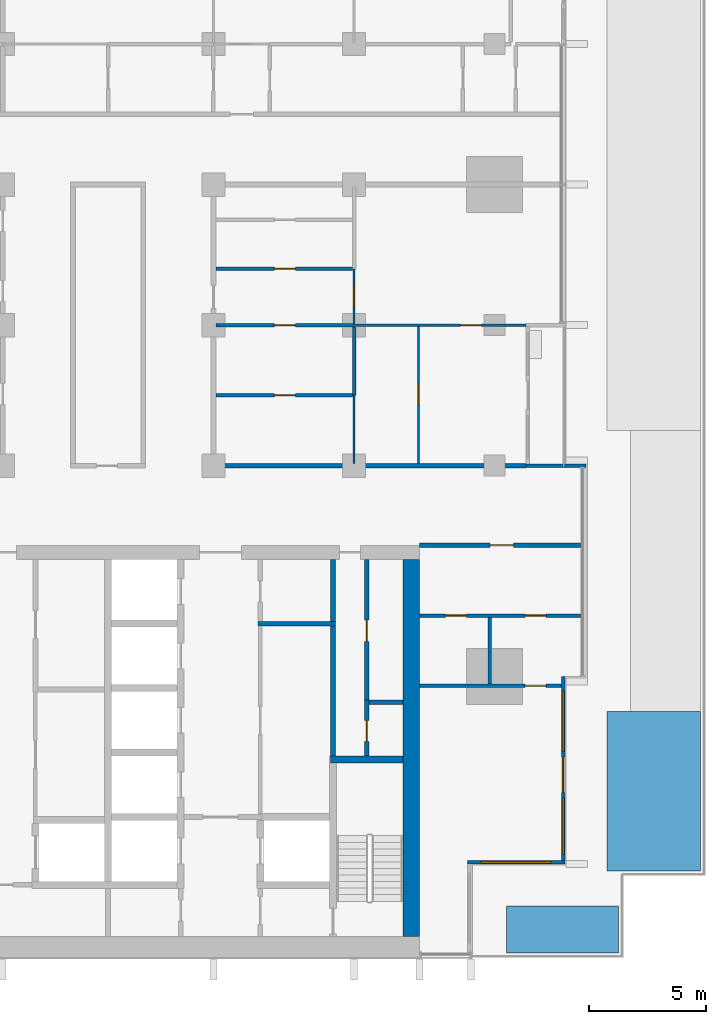
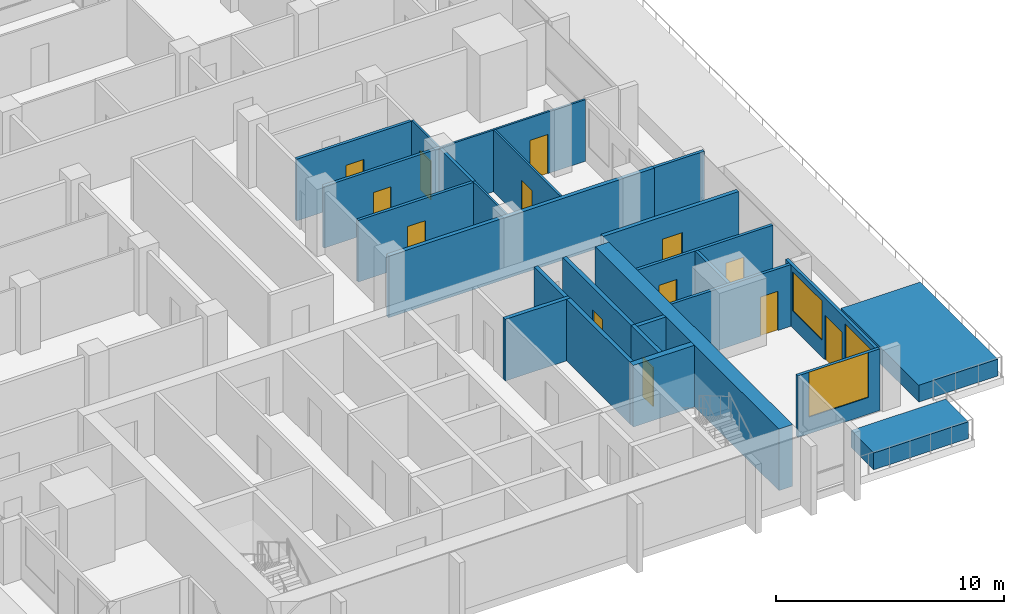
# One storey, part 9 of 18: 26 walls, 13 doors, 3 windows, 16 openings.
"""IFC4 building model written with IfcOpenShell, lengths in metres."""

from ifc_helpers import new_model, si_unit, direction, frame, frame_2d, origin, place, context, subcontext, project, spatial, rectangle, extrude, material, layer, layer_set, type_object, element, fill, save


model = new_model("IFC4")

# Units and contexts
model_context = context("Model", 3, precision=1e-05, world=origin(), true_north=direction((0.0, 1.0)))
body_context = subcontext(model_context, "Body", "Model", "MODEL_VIEW")
ifc_project = project(units=[si_unit("LENGTHUNIT", "METRE"), si_unit("AREAUNIT", "SQUARE_METRE"), si_unit("VOLUMEUNIT", "CUBIC_METRE"), si_unit("PLANEANGLEUNIT", "RADIAN"), si_unit("MASSUNIT", "GRAM", prefix="KILO")], contexts=[model_context])

# Site, building, storey
site_placement = place(None, origin())
site = spatial("IfcSite", under=ifc_project, at=site_placement, CompositionType="ELEMENT")
building_placement = place(site_placement, origin())
building = spatial("IfcBuilding", under=site, at=building_placement, Name="Finial Court Residences", CompositionType="ELEMENT")
storey_placement = place(building_placement, frame((0.0, 0.0, 149.300048828125)))
storey = spatial("IfcBuildingStorey", under=building, at=storey_placement, Name="L36", CompositionType="ELEMENT", Elevation=149.300048828125)

# Wall
ifc_material_1 = material(Name="Concrete C70/85", Category="concrete")
ifc_layer_1 = layer(ifc_material_1, 0.699951171875)
ifc_layer_set_1 = layer_set([ifc_layer_1], Name="Core outer wall 700 Concrete C70/85")
wall_type_1 = type_object("IfcWallType", Name="Core outer wall 700 Concrete C70/85", PredefinedType="SHEAR", material=ifc_layer_set_1)
wall_1_placement = place(storey_placement, frame((12.949951171875, -24.60009765625, 0.0), z_axis=(0.0, 0.0, 1.0), x_axis=(0.0, 1.0, 0.0)))
element("IfcWall", 1, at=wall_1_placement, inside=storey, type_object=wall_type_1, Name="Core outer wall L36-04", PredefinedType="SHEAR", context=body_context, shape_type="SweptSolid", body=[
    extrude(rectangle(XDim=16.10009765625, YDim=0.699951171875, at=frame_2d((8.050048828125, 0.0))), origin(), (0.0, 0.0, 1.0), 3.300048828125),
])

# Wall, opening, door
ifc_material_2 = material(Name="Gypsum board")
ifc_layer_2 = layer(ifc_material_2, 0.02490234375)
ifc_material_3 = material(Name="Acoustic mineral wool in double frame")
ifc_layer_3 = layer(ifc_material_3, 0.14990234375)
ifc_layer_4 = layer(ifc_material_2, 0.02490234375)
ifc_layer_set_2 = layer_set([ifc_layer_2, ifc_layer_3, ifc_layer_4], Name="Corridor wall 200, 1 hour")
wall_type_2 = type_object("IfcWallType", Name="Corridor wall 200, 1 hour", PredefinedType="PARTITIONING", material=ifc_layer_set_2)
wall_2_placement = place(storey_placement, frame((13.300048828125, -7.89990234375, 0.0), z_axis=(0.0, 0.0, 1.0), x_axis=(1.0, 0.0, 0.0)))
wall_2 = element("IfcWall", 2, at=wall_2_placement, inside=storey, type_object=wall_type_2, Name="Partition L36-005", PredefinedType="PARTITIONING", context=body_context, shape_type="SweptSolid", body=[
    extrude(rectangle(XDim=6.862548828125, YDim=0.199951171875, at=frame_2d((3.43115234375, 0.0))), origin(), (0.0, 0.0, 1.0), 3.300048828125),
])
opening_1_placement = place(wall_2_placement, frame((3.0, 0.0, 0.0)))
opening_1 = element("IfcOpeningElement", 3, at=opening_1_placement, cuts=wall_2, Name="Opening L36-D008", PredefinedType="OPENING", context=body_context, shape_type="SweptSolid", body=[
    extrude(rectangle(XDim=1.0, YDim=2.10009765625, at=frame_2d((0.5, 1.050048828125))), frame((0.0, 0.10986328125, 0.0), z_axis=(0.0, -1.0, 0.0), x_axis=(1.0, 0.0, 0.0)), (0.0, 0.0, 1.0), 0.219970703125),
])
ifc_material_4 = material(Name="Timber door leaf in hollow metal frame", Category="wood")
door_type_1 = type_object("IfcDoorType", Name="Fire door set 1000 x 2100, 30 minutes", OperationType="SINGLE_SWING_LEFT", PredefinedType="DOOR", material=ifc_material_4)
door_1_placement = place(opening_1_placement, origin())
door_1 = element("IfcDoor", 4, at=door_1_placement, inside=storey, type_object=door_type_1, Name="Door L36-D008", OperationType="SINGLE_SWING_RIGHT", OverallHeight=2.10009765625, OverallWidth=1.0, PredefinedType="DOOR", context=body_context, shape_type="SweptSolid", body=[
    extrude(rectangle(XDim=1.0, YDim=2.10009765625, at=frame_2d((0.5, 1.050048828125))), frame((0.0, 0.02490234375, 0.0), z_axis=(0.0, -1.0, 0.0), x_axis=(1.0, 0.0, 0.0)), (0.0, 0.0, 1.0), 0.050048828125),
])
fill(opening_1, door_1)

# Wall
wall_3_placement = place(storey_placement, frame((4.39990234375, -4.5, 0.0), z_axis=(0.0, 0.0, 1.0), x_axis=(1.0, 0.0, 0.0)))
element("IfcWall", 5, at=wall_3_placement, inside=storey, type_object=wall_type_2, Name="Partition L36-008", PredefinedType="PARTITIONING", context=body_context, shape_type="SweptSolid", body=[
    extrude(rectangle(XDim=13.4501953125, YDim=0.199951171875, at=frame_2d((6.72509765625, 0.0))), origin(), (0.0, 0.0, 1.0), 3.300048828125),
])

# Wall, opening, door
ifc_layer_5 = layer(ifc_material_2, 0.012451171875)
ifc_material_5 = material(Name="Mineral wool in light-gauge frame")
ifc_layer_6 = layer(ifc_material_5, 0.074951171875)
ifc_layer_7 = layer(ifc_material_2, 0.012451171875)
ifc_layer_set_3 = layer_set([ifc_layer_5, ifc_layer_6, ifc_layer_7], Name="Gypsum board partition 100")
wall_type_3 = type_object("IfcWallType", Name="Gypsum board partition 100", PredefinedType="PARTITIONING", material=ifc_layer_set_3)
wall_4_placement = place(storey_placement, frame((10.5, 1.5, 0.0), z_axis=(0.0, 0.0, 1.0), x_axis=(1.0, 0.0, 0.0)))
wall_4 = element("IfcWall", 6, at=wall_4_placement, inside=storey, type_object=wall_type_3, Name="Partition L36-011", PredefinedType="PARTITIONING", context=body_context, shape_type="SweptSolid", body=[
    extrude(rectangle(XDim=7.35009765625, YDim=0.10009765625, at=frame_2d((3.675048828125, 0.0))), origin(), (0.0, 0.0, 1.0), 3.300048828125),
])
opening_2_placement = place(wall_4_placement, frame((4.550048828125, 0.0, 0.0)))
opening_2 = element("IfcOpeningElement", 7, at=opening_2_placement, cuts=wall_4, Name="Opening L36-D011", PredefinedType="OPENING", context=body_context, shape_type="SweptSolid", body=[
    extrude(rectangle(XDim=0.89990234375, YDim=2.10009765625, at=frame_2d((0.449951171875, 1.050048828125))), frame((0.0, 0.06005859375, 0.0), z_axis=(0.0, -1.0, 0.0), x_axis=(1.0, 0.0, 0.0)), (0.0, 0.0, 1.0), 0.1201171875),
])
ifc_material_6 = material(Name="Timber door leaf in timber frame", Category="wood")
door_type_2 = type_object("IfcDoorType", Name="Door set 900 x 2100", OperationType="SINGLE_SWING_LEFT", PredefinedType="DOOR", material=ifc_material_6)
door_2_placement = place(opening_2_placement, origin())
door_2 = element("IfcDoor", 8, at=door_2_placement, inside=storey, type_object=door_type_2, Name="Door L36-D011", OperationType="SINGLE_SWING_RIGHT", OverallHeight=2.10009765625, OverallWidth=0.89990234375, PredefinedType="DOOR", context=body_context, shape_type="SweptSolid", body=[
    extrude(rectangle(XDim=0.89990234375, YDim=2.10009765625, at=frame_2d((0.449951171875, 1.050048828125))), frame((0.0, 0.02490234375, 0.0), z_axis=(0.0, -1.0, 0.0), x_axis=(1.0, 0.0, 0.0)), (0.0, 0.0, 1.0), 0.050048828125),
])
fill(opening_2, door_2)

# Wall
wall_5_placement = place(storey_placement, frame((10.5, -4.39990234375, 0.0), z_axis=(0.0, 0.0, 1.0), x_axis=(0.0, 1.0, 0.0)))
element("IfcWall", 9, at=wall_5_placement, inside=storey, type_object=wall_type_3, Name="Partition L36-049", PredefinedType="PARTITIONING", context=body_context, shape_type="SweptSolid", body=[
    extrude(rectangle(XDim=2.89990234375, YDim=0.10009765625, at=frame_2d((1.449951171875, 0.0))), origin(), (0.0, 0.0, 1.0), 3.300048828125),
])

# Wall, opening, door
wall_6_placement = place(storey_placement, frame((10.5, 1.574951171875, 0.0), z_axis=(0.0, 0.0, 1.0), x_axis=(0.0, 1.0, 0.0)))
wall_6 = element("IfcWall", 10, at=wall_6_placement, inside=storey, type_object=wall_type_3, Name="Partition L36-050", PredefinedType="PARTITIONING", context=body_context, shape_type="SweptSolid", body=[
    extrude(rectangle(XDim=2.324951171875, YDim=0.10009765625, at=frame_2d((1.16259765625, 0.0))), origin(), (0.0, 0.0, 1.0), 3.300048828125),
])
opening_3_placement = place(wall_6_placement, frame((0.699951171875, 0.0, 0.0)))
opening_3 = element("IfcOpeningElement", 11, at=opening_3_placement, cuts=wall_6, Name="Opening L36-D035", PredefinedType="OPENING", context=body_context, shape_type="SweptSolid", body=[
    extrude(rectangle(XDim=0.89990234375, YDim=2.10009765625, at=frame_2d((0.449951171875, 1.050048828125))), frame((0.0, 0.06005859375, 0.0), z_axis=(0.0, -1.0, 0.0), x_axis=(1.0, 0.0, 0.0)), (0.0, 0.0, 1.0), 0.1201171875),
])
door_3_placement = place(opening_3_placement, origin())
door_3 = element("IfcDoor", 12, at=door_3_placement, inside=storey, type_object=door_type_2, Name="Door L36-D035", OperationType="SINGLE_SWING_LEFT", OverallHeight=2.10009765625, OverallWidth=0.89990234375, PredefinedType="DOOR", context=body_context, shape_type="SweptSolid", body=[
    extrude(rectangle(XDim=0.89990234375, YDim=2.10009765625, at=frame_2d((0.449951171875, 1.050048828125))), frame((0.0, 0.02490234375, 0.0), z_axis=(0.0, -1.0, 0.0), x_axis=(1.0, 0.0, 0.0)), (0.0, 0.0, 1.0), 0.050048828125),
])
fill(opening_3, door_3)

wall_7_placement = place(storey_placement, frame((13.25, -4.39990234375, 0.0), z_axis=(0.0, 0.0, 1.0), x_axis=(0.0, 1.0, 0.0)))
wall_7 = element("IfcWall", 13, at=wall_7_placement, inside=storey, type_object=wall_type_3, Name="Partition L36-054", PredefinedType="PARTITIONING", context=body_context, shape_type="SweptSolid", body=[
    extrude(rectangle(XDim=5.849853515625, YDim=0.10009765625, at=frame_2d((2.9248046875, 0.0))), origin(), (0.0, 0.0, 1.0), 3.300048828125),
])
opening_4_placement = place(wall_7_placement, frame((2.5, 0.0, 0.0)))
opening_4 = element("IfcOpeningElement", 14, at=opening_4_placement, cuts=wall_7, Name="Opening L36-D037", PredefinedType="OPENING", context=body_context, shape_type="SweptSolid", body=[
    extrude(rectangle(XDim=0.89990234375, YDim=2.10009765625, at=frame_2d((0.449951171875, 1.050048828125))), frame((0.0, 0.06005859375, 0.0), z_axis=(0.0, -1.0, 0.0), x_axis=(1.0, 0.0, 0.0)), (0.0, 0.0, 1.0), 0.1201171875),
])
door_4_placement = place(opening_4_placement, origin())
door_4 = element("IfcDoor", 15, at=door_4_placement, inside=storey, type_object=door_type_2, Name="Door L36-D037", OperationType="SINGLE_SWING_LEFT", OverallHeight=2.10009765625, OverallWidth=0.89990234375, PredefinedType="DOOR", context=body_context, shape_type="SweptSolid", body=[
    extrude(rectangle(XDim=0.89990234375, YDim=2.10009765625, at=frame_2d((0.449951171875, 1.050048828125))), frame((0.0, 0.02490234375, 0.0), z_axis=(0.0, -1.0, 0.0), x_axis=(1.0, 0.0, 0.0)), (0.0, 0.0, 1.0), 0.050048828125),
])
fill(opening_4, door_4)

ifc_material_7 = material(Name="Moisture-resistant gypsum board")
ifc_layer_8 = layer(ifc_material_7, 0.012451171875)
ifc_layer_9 = layer(ifc_material_5, 0.125)
ifc_layer_10 = layer(ifc_material_7, 0.012451171875)
ifc_layer_set_4 = layer_set([ifc_layer_8, ifc_layer_9, ifc_layer_10], Name="Gypsum board wet-area partition 150")
wall_type_4 = type_object("IfcWallType", Name="Gypsum board wet-area partition 150", PredefinedType="PARTITIONING", material=ifc_layer_set_4)
wall_8_placement = place(storey_placement, frame((13.300048828125, -13.89990234375, 0.0), z_axis=(0.0, 0.0, 1.0), x_axis=(1.0, 0.0, 0.0)))
wall_8 = element("IfcWall", 16, at=wall_8_placement, inside=storey, type_object=wall_type_4, Name="Partition L36-001", PredefinedType="PARTITIONING", context=body_context, shape_type="SweptSolid", body=[
    extrude(rectangle(XDim=6.050048828125, YDim=0.14990234375, at=frame_2d((3.02490234375, 0.0))), origin(), (0.0, 0.0, 1.0), 3.300048828125),
])
opening_5_placement = place(wall_8_placement, frame((4.5, 0.0, 0.0)))
opening_5 = element("IfcOpeningElement", 17, at=opening_5_placement, cuts=wall_8, Name="Opening L36-D002", PredefinedType="OPENING", context=body_context, shape_type="SweptSolid", body=[
    extrude(rectangle(XDim=0.89990234375, YDim=2.10009765625, at=frame_2d((0.449951171875, 1.050048828125))), frame((0.0, 0.0849609375, 0.0), z_axis=(0.0, -1.0, 0.0), x_axis=(1.0, 0.0, 0.0)), (0.0, 0.0, 1.0), 0.169921875),
])
door_5_placement = place(opening_5_placement, origin())
door_5 = element("IfcDoor", 18, at=door_5_placement, inside=storey, type_object=door_type_2, Name="Door L36-D002", OperationType="SINGLE_SWING_RIGHT", OverallHeight=2.10009765625, OverallWidth=0.89990234375, PredefinedType="DOOR", context=body_context, shape_type="SweptSolid", body=[
    extrude(rectangle(XDim=0.89990234375, YDim=2.10009765625, at=frame_2d((0.449951171875, 1.050048828125))), frame((0.0, 0.02490234375, 0.0), z_axis=(0.0, -1.0, 0.0), x_axis=(1.0, 0.0, 0.0)), (0.0, 0.0, 1.0), 0.050048828125),
])
fill(opening_5, door_5)

# Wall, openings, doors
wall_9_placement = place(storey_placement, frame((13.300048828125, -10.89990234375, 0.0), z_axis=(0.0, 0.0, 1.0), x_axis=(1.0, 0.0, 0.0)))
wall_9 = element("IfcWall", 19, at=wall_9_placement, inside=storey, type_object=wall_type_4, Name="Partition L36-003", PredefinedType="PARTITIONING", context=body_context, shape_type="SweptSolid", body=[
    extrude(rectangle(XDim=6.862548828125, YDim=0.14990234375, at=frame_2d((3.43115234375, 0.0))), origin(), (0.0, 0.0, 1.0), 3.300048828125),
])
opening_6_placement = place(wall_9_placement, frame((1.10009765625, 0.0, 0.0)))
opening_6 = element("IfcOpeningElement", 20, at=opening_6_placement, cuts=wall_9, Name="Opening L36-D005", PredefinedType="OPENING", context=body_context, shape_type="SweptSolid", body=[
    extrude(rectangle(XDim=0.89990234375, YDim=2.10009765625, at=frame_2d((0.449951171875, 1.050048828125))), frame((0.0, 0.0849609375, 0.0), z_axis=(0.0, -1.0, 0.0), x_axis=(1.0, 0.0, 0.0)), (0.0, 0.0, 1.0), 0.169921875),
])
opening_7_placement = place(wall_9_placement, frame((4.5, 0.0, 0.0)))
opening_7 = element("IfcOpeningElement", 21, at=opening_7_placement, cuts=wall_9, Name="Opening L36-D006", PredefinedType="OPENING", context=body_context, shape_type="SweptSolid", body=[
    extrude(rectangle(XDim=0.89990234375, YDim=2.10009765625, at=frame_2d((0.449951171875, 1.050048828125))), frame((0.0, 0.0849609375, 0.0), z_axis=(0.0, -1.0, 0.0), x_axis=(1.0, 0.0, 0.0)), (0.0, 0.0, 1.0), 0.169921875),
])
door_6_placement = place(opening_6_placement, origin())
door_6 = element("IfcDoor", 22, at=door_6_placement, inside=storey, type_object=door_type_2, Name="Door L36-D005", OperationType="SINGLE_SWING_LEFT", OverallHeight=2.10009765625, OverallWidth=0.89990234375, PredefinedType="DOOR", context=body_context, shape_type="SweptSolid", body=[
    extrude(rectangle(XDim=0.89990234375, YDim=2.10009765625, at=frame_2d((0.449951171875, 1.050048828125))), frame((0.0, 0.02490234375, 0.0), z_axis=(0.0, -1.0, 0.0), x_axis=(1.0, 0.0, 0.0)), (0.0, 0.0, 1.0), 0.050048828125),
])
fill(opening_6, door_6)
door_7_placement = place(opening_7_placement, origin())
door_7 = element("IfcDoor", 23, at=door_7_placement, inside=storey, type_object=door_type_2, Name="Door L36-D006", OperationType="SINGLE_SWING_RIGHT", OverallHeight=2.10009765625, OverallWidth=0.89990234375, PredefinedType="DOOR", context=body_context, shape_type="SweptSolid", body=[
    extrude(rectangle(XDim=0.89990234375, YDim=2.10009765625, at=frame_2d((0.449951171875, 1.050048828125))), frame((0.0, 0.02490234375, 0.0), z_axis=(0.0, -1.0, 0.0), x_axis=(1.0, 0.0, 0.0)), (0.0, 0.0, 1.0), 0.050048828125),
])
fill(opening_7, door_7)

# Wall, opening, door
wall_10_placement = place(storey_placement, frame((4.60009765625, -1.5, 0.0), z_axis=(0.0, 0.0, 1.0), x_axis=(1.0, 0.0, 0.0)))
wall_10 = element("IfcWall", 24, at=wall_10_placement, inside=storey, type_object=wall_type_4, Name="Partition L36-009", PredefinedType="PARTITIONING", context=body_context, shape_type="SweptSolid", body=[
    extrude(rectangle(XDim=5.824951171875, YDim=0.14990234375, at=frame_2d((2.91259765625, 0.0))), origin(), (0.0, 0.0, 1.0), 3.300048828125),
])
opening_8_placement = place(wall_10_placement, frame((2.5, 0.0, 0.0)))
opening_8 = element("IfcOpeningElement", 25, at=opening_8_placement, cuts=wall_10, Name="Opening L36-D010", PredefinedType="OPENING", context=body_context, shape_type="SweptSolid", body=[
    extrude(rectangle(XDim=0.89990234375, YDim=2.10009765625, at=frame_2d((0.449951171875, 1.050048828125))), frame((0.0, 0.0849609375, 0.0), z_axis=(0.0, -1.0, 0.0), x_axis=(1.0, 0.0, 0.0)), (0.0, 0.0, 1.0), 0.169921875),
])
door_8_placement = place(opening_8_placement, origin())
door_8 = element("IfcDoor", 26, at=door_8_placement, inside=storey, type_object=door_type_2, Name="Door L36-D010", OperationType="SINGLE_SWING_LEFT", OverallHeight=2.10009765625, OverallWidth=0.89990234375, PredefinedType="DOOR", context=body_context, shape_type="SweptSolid", body=[
    extrude(rectangle(XDim=0.89990234375, YDim=2.10009765625, at=frame_2d((0.449951171875, 1.050048828125))), frame((0.0, 0.02490234375, 0.0), z_axis=(0.0, -1.0, 0.0), x_axis=(1.0, 0.0, 0.0)), (0.0, 0.0, 1.0), 0.050048828125),
])
fill(opening_8, door_8)

wall_11_placement = place(storey_placement, frame((4.60009765625, 1.5, 0.0), z_axis=(0.0, 0.0, 1.0), x_axis=(1.0, 0.0, 0.0)))
wall_11 = element("IfcWall", 27, at=wall_11_placement, inside=storey, type_object=wall_type_4, Name="Partition L36-012", PredefinedType="PARTITIONING", context=body_context, shape_type="SweptSolid", body=[
    extrude(rectangle(XDim=5.89990234375, YDim=0.14990234375, at=frame_2d((2.949951171875, 0.0))), origin(), (0.0, 0.0, 1.0), 3.300048828125),
])
opening_9_placement = place(wall_11_placement, frame((2.5, 0.0, 0.0)))
opening_9 = element("IfcOpeningElement", 28, at=opening_9_placement, cuts=wall_11, Name="Opening L36-D012", PredefinedType="OPENING", context=body_context, shape_type="SweptSolid", body=[
    extrude(rectangle(XDim=0.89990234375, YDim=2.10009765625, at=frame_2d((0.449951171875, 1.050048828125))), frame((0.0, 0.0849609375, 0.0), z_axis=(0.0, -1.0, 0.0), x_axis=(1.0, 0.0, 0.0)), (0.0, 0.0, 1.0), 0.169921875),
])
door_9_placement = place(opening_9_placement, origin())
door_9 = element("IfcDoor", 29, at=door_9_placement, inside=storey, type_object=door_type_2, Name="Door L36-D012", OperationType="SINGLE_SWING_RIGHT", OverallHeight=2.10009765625, OverallWidth=0.89990234375, PredefinedType="DOOR", context=body_context, shape_type="SweptSolid", body=[
    extrude(rectangle(XDim=0.89990234375, YDim=2.10009765625, at=frame_2d((0.449951171875, 1.050048828125))), frame((0.0, 0.02490234375, 0.0), z_axis=(0.0, -1.0, 0.0), x_axis=(1.0, 0.0, 0.0)), (0.0, 0.0, 1.0), 0.050048828125),
])
fill(opening_9, door_9)

wall_12_placement = place(storey_placement, frame((4.60009765625, 3.89990234375, 0.0), z_axis=(0.0, 0.0, 1.0), x_axis=(1.0, 0.0, 0.0)))
wall_12 = element("IfcWall", 30, at=wall_12_placement, inside=storey, type_object=wall_type_4, Name="Partition L36-013", PredefinedType="PARTITIONING", context=body_context, shape_type="SweptSolid", body=[
    extrude(rectangle(XDim=5.824951171875, YDim=0.14990234375, at=frame_2d((2.91259765625, 0.0))), origin(), (0.0, 0.0, 1.0), 3.300048828125),
])
opening_10_placement = place(wall_12_placement, frame((2.5, 0.0, 0.0)))
opening_10 = element("IfcOpeningElement", 31, at=opening_10_placement, cuts=wall_12, Name="Opening L36-D013", PredefinedType="OPENING", context=body_context, shape_type="SweptSolid", body=[
    extrude(rectangle(XDim=0.89990234375, YDim=2.10009765625, at=frame_2d((0.449951171875, 1.050048828125))), frame((0.0, 0.0849609375, 0.0), z_axis=(0.0, -1.0, 0.0), x_axis=(1.0, 0.0, 0.0)), (0.0, 0.0, 1.0), 0.169921875),
])
door_10_placement = place(opening_10_placement, origin())
door_10 = element("IfcDoor", 32, at=door_10_placement, inside=storey, type_object=door_type_2, Name="Door L36-D013", OperationType="SINGLE_SWING_RIGHT", OverallHeight=2.10009765625, OverallWidth=0.89990234375, PredefinedType="DOOR", context=body_context, shape_type="SweptSolid", body=[
    extrude(rectangle(XDim=0.89990234375, YDim=2.10009765625, at=frame_2d((0.449951171875, 1.050048828125))), frame((0.0, 0.02490234375, 0.0), z_axis=(0.0, -1.0, 0.0), x_axis=(1.0, 0.0, 0.0)), (0.0, 0.0, 1.0), 0.050048828125),
])
fill(opening_10, door_10)

# Walls
wall_13_placement = place(storey_placement, frame((10.5, -1.5, 0.0), z_axis=(0.0, 0.0, 1.0), x_axis=(0.0, 1.0, 0.0)))
element("IfcWall", 33, at=wall_13_placement, inside=storey, type_object=wall_type_4, Name="Partition L36-052", PredefinedType="PARTITIONING", context=body_context, shape_type="SweptSolid", body=[
    extrude(rectangle(XDim=2.925048828125, YDim=0.14990234375, at=frame_2d((1.46240234375, 0.0))), origin(), (0.0, 0.0, 1.0), 3.300048828125),
])
wall_14_placement = place(storey_placement, frame((16.300048828125, -13.824951171875, 0.0), z_axis=(0.0, 0.0, 1.0), x_axis=(0.0, 1.0, 0.0)))
element("IfcWall", 34, at=wall_14_placement, inside=storey, type_object=wall_type_4, Name="Partition L36-056", PredefinedType="PARTITIONING", context=body_context, shape_type="SweptSolid", body=[
    extrude(rectangle(XDim=2.849853515625, YDim=0.14990234375, at=frame_2d((1.4248046875, 0.0))), origin(), (0.0, 0.0, 1.0), 3.300048828125),
])
ifc_layer_11 = layer(ifc_material_1, 0.300048828125)
ifc_layer_set_5 = layer_set([ifc_layer_11], Name="Lift shaft and stair wall 300 Concrete C70/85")
wall_type_5 = type_object("IfcWallType", Name="Lift shaft and stair wall 300 Concrete C70/85", PredefinedType="SHEAR", material=ifc_layer_set_5)
wall_15_placement = place(storey_placement, frame((9.5, -17.050048828125, 0.0), z_axis=(0.0, 0.0, 1.0), x_axis=(1.0, 0.0, 0.0)))
element("IfcWall", 35, at=wall_15_placement, inside=storey, type_object=wall_type_5, Name="Core wall L36-09", PredefinedType="SHEAR", context=body_context, shape_type="SweptSolid", body=[
    extrude(rectangle(XDim=3.10009765625, YDim=0.300048828125, at=frame_2d((1.550048828125, 0.0))), origin(), (0.0, 0.0, 1.0), 3.300048828125),
])

# Wall, opening, window
ifc_material_8 = material(Name="Natural limestone", Category="masonry")
ifc_layer_12 = layer(ifc_material_8, 0.14990234375)
ifc_layer_set_6 = layer_set([ifc_layer_12], Name="Limestone clad wall 150")
wall_type_6 = type_object("IfcWallType", Name="Limestone clad wall 150", PredefinedType="SOLIDWALL", material=ifc_layer_set_6)
wall_16_placement = place(storey_placement, frame((19.5, -21.425048828125, 0.0), z_axis=(0.0, 0.0, 1.0), x_axis=(-1.0, 0.0, 0.0)))
wall_16 = element("IfcWall", 36, at=wall_16_placement, inside=storey, type_object=wall_type_6, Name="E-L36-NWS14", PredefinedType="SOLIDWALL", context=body_context, shape_type="SweptSolid", body=[
    extrude(rectangle(XDim=4.14990234375, YDim=0.14990234375, at=frame_2d((2.074951171875, 0.0))), origin(), (0.0, 0.0, 1.0), 3.300048828125),
])
opening_11_placement = place(wall_16_placement, frame((0.574951171875, 0.0, 0.89990234375)))
opening_11 = element("IfcOpeningElement", 37, at=opening_11_placement, cuts=wall_16, Name="Opening WE36-04", PredefinedType="OPENING", context=body_context, shape_type="SweptSolid", body=[
    extrude(rectangle(XDim=3.0, YDim=2.39990234375, at=frame_2d((1.5, 1.199951171875))), frame((0.0, 0.0849609375, 0.0), z_axis=(0.0, -1.0, 0.0), x_axis=(1.0, 0.0, 0.0)), (0.0, 0.0, 1.0), 0.169921875),
])
ifc_material_9 = material(Name="Clear low-e glass", Category="glass")
window_type_1 = type_object("IfcWindowType", Name="Corner window 3000 x 2400", PartitioningType="SINGLE_PANEL", PredefinedType="WINDOW", material=ifc_material_9)
window_1_placement = place(opening_11_placement, origin())
window_1 = element("IfcWindow", 38, at=window_1_placement, inside=storey, type_object=window_type_1, Name="E-L36-NWS14-W1", OverallHeight=2.39990234375, OverallWidth=3.0, PartitioningType="SINGLE_PANEL", PredefinedType="WINDOW", context=body_context, shape_type="SweptSolid", body=[
    extrude(rectangle(XDim=3.0, YDim=2.39990234375, at=frame_2d((1.5, 1.199951171875))), frame((0.0, 0.030029296875, 0.0), z_axis=(0.0, -1.0, 0.0), x_axis=(1.0, 0.0, 0.0)), (0.0, 0.0, 1.0), 0.06005859375),
])
fill(opening_11, window_1)

# Wall
wall_17_placement = place(storey_placement, frame((17.85009765625, -4.5, 0.0), z_axis=(0.0, 0.0, 1.0), x_axis=(1.0, 0.0, 0.0)))
element("IfcWall", 39, at=wall_17_placement, inside=storey, type_object=wall_type_6, Name="E-L36-BALE3-P1", PredefinedType="SOLIDWALL", context=body_context, shape_type="SweptSolid", body=[
    extrude(rectangle(XDim=2.5498046875, YDim=0.14990234375, at=frame_2d((1.27490234375, 0.0))), origin(), (0.0, 0.0, 1.0), 3.300048828125),
])

# Wall, openings, door, windows
wall_18_placement = place(storey_placement, frame((19.425048828125, -13.5, 0.0), z_axis=(0.0, 0.0, 1.0), x_axis=(0.0, -1.0, 0.0)))
wall_18 = element("IfcWall", 40, at=wall_18_placement, inside=storey, type_object=wall_type_6, Name="E-L36-L36-TD1-W", PredefinedType="SOLIDWALL", context=body_context, shape_type="SweptSolid", body=[
    extrude(rectangle(XDim=7.85009765625, YDim=0.14990234375, at=frame_2d((3.925048828125, 0.0))), origin(), (0.0, 0.0, 1.0), 3.300048828125),
])
opening_12_placement = place(wall_18_placement, frame((3.449951171875, 0.0, 0.0)))
opening_12 = element("IfcOpeningElement", 41, at=opening_12_placement, cuts=wall_18, Name="Opening DE36-04", PredefinedType="OPENING", context=body_context, shape_type="SweptSolid", body=[
    extrude(rectangle(XDim=1.5, YDim=2.39990234375, at=frame_2d((0.75, 1.199951171875))), frame((0.0, 0.0849609375, 0.0), z_axis=(0.0, -1.0, 0.0), x_axis=(1.0, 0.0, 0.0)), (0.0, 0.0, 1.0), 0.169921875),
])
opening_13_placement = place(wall_18_placement, frame((5.199951171875, 0.0, 0.89990234375)))
opening_13 = element("IfcOpeningElement", 42, at=opening_13_placement, cuts=wall_18, Name="Opening WE36-15", PredefinedType="OPENING", context=body_context, shape_type="SweptSolid", body=[
    extrude(rectangle(XDim=2.39990234375, YDim=2.10009765625, at=frame_2d((1.199951171875, 1.050048828125))), frame((0.0, 0.0849609375, 0.0), z_axis=(0.0, -1.0, 0.0), x_axis=(1.0, 0.0, 0.0)), (0.0, 0.0, 1.0), 0.169921875),
])
opening_14_placement = place(wall_18_placement, frame((0.625, 0.0, 0.89990234375)))
opening_14 = element("IfcOpeningElement", 43, at=opening_14_placement, cuts=wall_18, Name="Opening WE36-16", PredefinedType="OPENING", context=body_context, shape_type="SweptSolid", body=[
    extrude(rectangle(XDim=2.574951171875, YDim=2.10009765625, at=frame_2d((1.28759765625, 1.050048828125))), frame((0.0, 0.0849609375, 0.0), z_axis=(0.0, -1.0, 0.0), x_axis=(1.0, 0.0, 0.0)), (0.0, 0.0, 1.0), 0.169921875),
])
ifc_material_10 = material(Name="Bronze anodised aluminium", Category="aluminium")
door_type_3 = type_object("IfcDoorType", Name="Terrace door 1500 x 2400", OperationType="DOUBLE_DOOR_SINGLE_SWING", PredefinedType="DOOR", material=ifc_material_10)
door_11_placement = place(opening_12_placement, origin())
door_11 = element("IfcDoor", 44, at=door_11_placement, inside=storey, type_object=door_type_3, Name="E-L36-L36-TD1-W-D", OperationType="DOUBLE_DOOR_SINGLE_SWING", OverallHeight=2.39990234375, OverallWidth=1.5, PredefinedType="DOOR", context=body_context, shape_type="SweptSolid", body=[
    extrude(rectangle(XDim=1.5, YDim=2.39990234375, at=frame_2d((0.75, 1.199951171875))), frame((0.0, 0.02490234375, 0.0), z_axis=(0.0, -1.0, 0.0), x_axis=(1.0, 0.0, 0.0)), (0.0, 0.0, 1.0), 0.050048828125),
])
fill(opening_12, door_11)
window_type_2 = type_object("IfcWindowType", Name="Terrace window 2400 x 2100", PartitioningType="SINGLE_PANEL", PredefinedType="WINDOW", material=ifc_material_9)
window_2_placement = place(opening_13_placement, origin())
window_2 = element("IfcWindow", 45, at=window_2_placement, inside=storey, type_object=window_type_2, Name="E-L36-L36-TD1-W-W1", OverallHeight=2.10009765625, OverallWidth=2.39990234375, PartitioningType="SINGLE_PANEL", PredefinedType="WINDOW", context=body_context, shape_type="SweptSolid", body=[
    extrude(rectangle(XDim=2.39990234375, YDim=2.10009765625, at=frame_2d((1.199951171875, 1.050048828125))), frame((0.0, 0.030029296875, 0.0), z_axis=(0.0, -1.0, 0.0), x_axis=(1.0, 0.0, 0.0)), (0.0, 0.0, 1.0), 0.06005859375),
])
fill(opening_13, window_2)
window_type_3 = type_object("IfcWindowType", Name="Terrace window 2575 x 2100", PartitioningType="SINGLE_PANEL", PredefinedType="WINDOW", material=ifc_material_9)
window_3_placement = place(opening_14_placement, origin())
window_3 = element("IfcWindow", 46, at=window_3_placement, inside=storey, type_object=window_type_3, Name="E-L36-L36-TD1-W-W2", OverallHeight=2.10009765625, OverallWidth=2.574951171875, PartitioningType="SINGLE_PANEL", PredefinedType="WINDOW", context=body_context, shape_type="SweptSolid", body=[
    extrude(rectangle(XDim=2.574951171875, YDim=2.10009765625, at=frame_2d((1.28759765625, 1.050048828125))), frame((0.0, 0.030029296875, 0.0), z_axis=(0.0, -1.0, 0.0), x_axis=(1.0, 0.0, 0.0)), (0.0, 0.0, 1.0), 0.06005859375),
])
fill(opening_14, window_3)

# Walls
ifc_material_11 = material(Name="Concrete C40/50", Category="concrete")
ifc_layer_13 = layer(ifc_material_11, 0.199951171875)
ifc_material_12 = material(Name="Planting soil", Category="soil")
ifc_layer_14 = layer(ifc_material_12, 1.60009765625)
ifc_layer_15 = layer(ifc_material_11, 0.199951171875)
ifc_layer_set_7 = layer_set([ifc_layer_13, ifc_layer_14, ifc_layer_15], Name="Planter wall, terrace 2000")
wall_type_7 = type_object("IfcWallType", Name="Planter wall, terrace 2000", PredefinedType="USERDEFINED", material=ifc_layer_set_7)
wall_19_placement = place(storey_placement, frame((17.0, -24.300048828125, 0.0), z_axis=(0.0, 0.0, 1.0), x_axis=(1.0, 0.0, 0.0)))
element("IfcWall", 47, at=wall_19_placement, inside=storey, type_object=wall_type_7, Name="E-L36-TER1-PL1", ObjectType="PLANTER", PredefinedType="USERDEFINED", context=body_context, shape_type="SweptSolid", body=[
    extrude(rectangle(XDim=4.800048828125, YDim=2.0, at=frame_2d((2.39990234375, 0.0))), origin(), (0.0, 0.0, 1.0), 0.89990234375),
])
ifc_layer_16 = layer(ifc_material_11, 0.199951171875)
ifc_layer_17 = layer(ifc_material_12, 3.60009765625)
ifc_layer_18 = layer(ifc_material_11, 0.199951171875)
ifc_layer_set_8 = layer_set([ifc_layer_16, ifc_layer_17, ifc_layer_18], Name="Planter wall, terrace 4000")
wall_type_8 = type_object("IfcWallType", Name="Planter wall, terrace 4000", PredefinedType="USERDEFINED", material=ifc_layer_set_8)
wall_20_placement = place(storey_placement, frame((23.300048828125, -21.800048828125, 0.0), z_axis=(0.0, 0.0, 1.0), x_axis=(0.0, 1.0, 0.0)))
element("IfcWall", 48, at=wall_20_placement, inside=storey, type_object=wall_type_8, Name="E-L36-TER1-PL3", ObjectType="PLANTER", PredefinedType="USERDEFINED", context=body_context, shape_type="SweptSolid", body=[
    extrude(rectangle(XDim=6.800048828125, YDim=4.0, at=frame_2d((3.39990234375, 0.0))), origin(), (0.0, 0.0, 1.0), 0.89990234375),
])
ifc_material_13 = material(Name="Fire-rated gypsum board partition")
ifc_layer_19 = layer(ifc_material_13, 0.199951171875)
ifc_layer_set_9 = layer_set([ifc_layer_19], Name="Riser room wall 200 EI 120")
wall_type_9 = type_object("IfcWallType", Name="Riser room wall 200 EI 120", PredefinedType="PARTITIONING", material=ifc_layer_set_9)
wall_21_placement = place(storey_placement, frame((11.14990234375, -14.60009765625, 0.0), z_axis=(0.0, 0.0, 1.0), x_axis=(1.0, 0.0, 0.0)))
element("IfcWall", 49, at=wall_21_placement, inside=storey, type_object=wall_type_9, Name="Core partition L36-12", PredefinedType="PARTITIONING", context=body_context, shape_type="SweptSolid", body=[
    extrude(rectangle(XDim=1.4501953125, YDim=0.199951171875, at=frame_2d((0.72509765625, 0.0))), origin(), (0.0, 0.0, 1.0), 3.300048828125),
])
wall_22_placement = place(storey_placement, frame((6.39990234375, -11.25, 0.0), z_axis=(0.0, 0.0, 1.0), x_axis=(1.0, 0.0, 0.0)))
element("IfcWall", 50, at=wall_22_placement, inside=storey, type_object=wall_type_9, Name="Core partition L36-16", PredefinedType="PARTITIONING", context=body_context, shape_type="SweptSolid", body=[
    extrude(rectangle(XDim=3.300048828125, YDim=0.199951171875, at=frame_2d((1.64990234375, 0.0))), origin(), (0.0, 0.0, 1.0), 3.300048828125),
])
wall_23_placement = place(storey_placement, frame((9.60009765625, -11.14990234375, 0.0), z_axis=(0.0, 0.0, 1.0), x_axis=(0.0, 1.0, 0.0)))
element("IfcWall", 51, at=wall_23_placement, inside=storey, type_object=wall_type_9, Name="Core partition L36-33", PredefinedType="PARTITIONING", context=body_context, shape_type="SweptSolid", body=[
    extrude(rectangle(XDim=2.64990234375, YDim=0.199951171875, at=frame_2d((1.324951171875, 0.0))), origin(), (0.0, 0.0, 1.0), 3.300048828125),
])

# Wall, opening, door
wall_24_placement = place(storey_placement, frame((11.050048828125, -8.5, 0.0), z_axis=(0.0, 0.0, 1.0), x_axis=(0.0, -1.0, 0.0)))
wall_24 = element("IfcWall", 52, at=wall_24_placement, inside=storey, type_object=wall_type_9, Name="Core partition L36-35", PredefinedType="PARTITIONING", context=body_context, shape_type="SweptSolid", body=[
    extrude(rectangle(XDim=6.199951171875, YDim=0.199951171875, at=frame_2d((3.10009765625, 0.0))), origin(), (0.0, 0.0, 1.0), 3.300048828125),
])
opening_15_placement = place(wall_24_placement, frame((2.60009765625, 0.0, 0.0)))
opening_15 = element("IfcOpeningElement", 53, at=opening_15_placement, cuts=wall_24, Name="Opening L36-C07", PredefinedType="OPENING", context=body_context, shape_type="SweptSolid", body=[
    extrude(rectangle(XDim=0.89990234375, YDim=2.10009765625, at=frame_2d((0.449951171875, 1.050048828125))), frame((0.0, 0.10986328125, 0.0), z_axis=(0.0, -1.0, 0.0), x_axis=(1.0, 0.0, 0.0)), (0.0, 0.0, 1.0), 0.219970703125),
])
ifc_material_14 = material(Name="Steel fire door", Category="steel")
door_type_4 = type_object("IfcDoorType", Name="Riser room door 900 x 2100 EI 90", OperationType="NOTDEFINED", PredefinedType="DOOR", material=ifc_material_14)
door_12_placement = place(opening_15_placement, origin())
door_12 = element("IfcDoor", 54, at=door_12_placement, inside=storey, type_object=door_type_4, Name="Riser room door L36-C07", OperationType="SINGLE_SWING_RIGHT", OverallHeight=2.10009765625, OverallWidth=0.89990234375, PredefinedType="DOOR", context=body_context, shape_type="SweptSolid", body=[
    extrude(rectangle(XDim=0.89990234375, YDim=2.10009765625, at=frame_2d((0.449951171875, 1.050048828125))), frame((0.0, 0.02490234375, 0.0), z_axis=(0.0, -1.0, 0.0), x_axis=(1.0, 0.0, 0.0)), (0.0, 0.0, 1.0), 0.050048828125),
])
fill(opening_15, door_12)

# Wall
ifc_layer_20 = layer(ifc_material_13, 0.199951171875)
ifc_layer_set_10 = layer_set([ifc_layer_20], Name="Stair passage wall 200 EI 180")
wall_type_10 = type_object("IfcWallType", Name="Stair passage wall 200 EI 180", PredefinedType="PARTITIONING", material=ifc_layer_set_10)
wall_25_placement = place(storey_placement, frame((9.60009765625, -16.89990234375, 0.0), z_axis=(0.0, 0.0, 1.0), x_axis=(0.0, 1.0, 0.0)))
element("IfcWall", 55, at=wall_25_placement, inside=storey, type_object=wall_type_10, Name="Core partition L36-32", PredefinedType="PARTITIONING", context=body_context, shape_type="SweptSolid", body=[
    extrude(rectangle(XDim=5.75, YDim=0.199951171875, at=frame_2d((2.875, 0.0))), origin(), (0.0, 0.0, 1.0), 3.300048828125),
])

# Wall, opening, door
wall_26_placement = place(storey_placement, frame((11.050048828125, -14.5, 0.0), z_axis=(0.0, 0.0, 1.0), x_axis=(0.0, -1.0, 0.0)))
wall_26 = element("IfcWall", 56, at=wall_26_placement, inside=storey, type_object=wall_type_10, Name="Core partition L36-34", PredefinedType="PARTITIONING", context=body_context, shape_type="SweptSolid", body=[
    extrude(rectangle(XDim=2.39990234375, YDim=0.199951171875, at=frame_2d((1.199951171875, 0.0))), origin(), (0.0, 0.0, 1.0), 3.300048828125),
])
opening_16_placement = place(wall_26_placement, frame((0.875, 0.0, 0.0)))
opening_16 = element("IfcOpeningElement", 57, at=opening_16_placement, cuts=wall_26, Name="Opening L36-C12", PredefinedType="OPENING", context=body_context, shape_type="SweptSolid", body=[
    extrude(rectangle(XDim=0.89990234375, YDim=2.10009765625, at=frame_2d((0.449951171875, 1.050048828125))), frame((0.0, 0.10986328125, 0.0), z_axis=(0.0, -1.0, 0.0), x_axis=(1.0, 0.0, 0.0)), (0.0, 0.0, 1.0), 0.219970703125),
])
door_type_5 = type_object("IfcDoorType", Name="Core room door 900 x 2100 EI 60", OperationType="NOTDEFINED", PredefinedType="DOOR", material=ifc_material_14)
door_13_placement = place(opening_16_placement, origin())
door_13 = element("IfcDoor", 58, at=door_13_placement, inside=storey, type_object=door_type_5, Name="Core room door L36-C12", OperationType="SINGLE_SWING_LEFT", OverallHeight=2.10009765625, OverallWidth=0.89990234375, PredefinedType="DOOR", context=body_context, shape_type="SweptSolid", body=[
    extrude(rectangle(XDim=0.89990234375, YDim=2.10009765625, at=frame_2d((0.449951171875, 1.050048828125))), frame((0.0, 0.02490234375, 0.0), z_axis=(0.0, -1.0, 0.0), x_axis=(1.0, 0.0, 0.0)), (0.0, 0.0, 1.0), 0.050048828125),
])
fill(opening_16, door_13)

save(model, "model.ifc")
